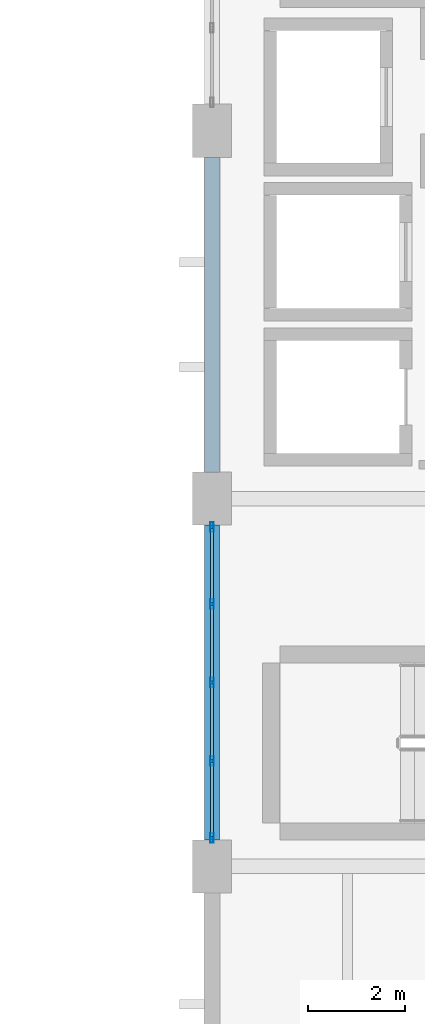
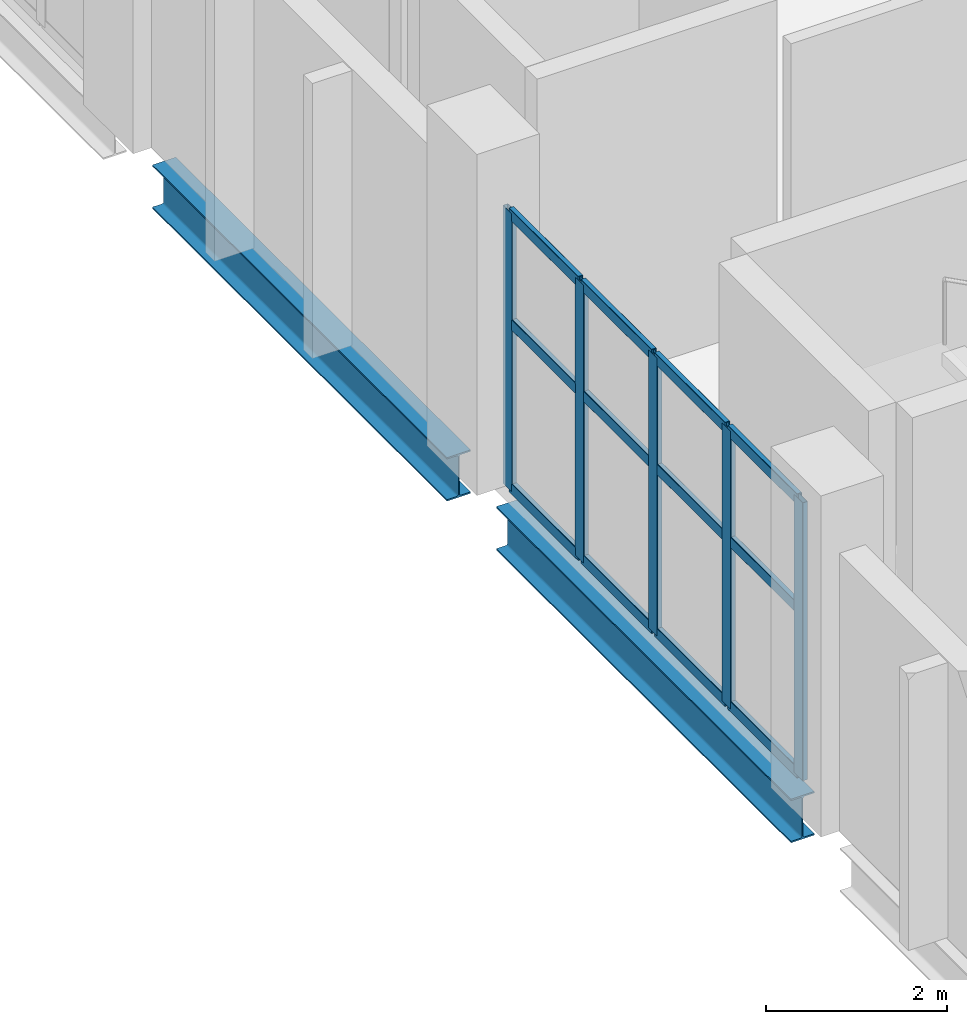
# One storey, part 47 of 136: 17 members, 2 beams, 1 element without a shape of its own.
"""IFC4 building model written with IfcOpenShell, lengths in metres."""

from ifc_helpers import new_model, si_unit, direction, frame, origin, origin_2d, place, context, subcontext, project, spatial, hollow_rectangle, i_section, extrude, material, material_profile, profile_set, type_object, element, aggregate, save


model = new_model("IFC4")

# Units and contexts
model_context = context("Model", 3, precision=1e-05, world=origin(), true_north=direction((0.0, 1.0)))
body_context = subcontext(model_context, "Body", "Model", "MODEL_VIEW")
ifc_project = project(units=[si_unit("LENGTHUNIT", "METRE"), si_unit("AREAUNIT", "SQUARE_METRE"), si_unit("VOLUMEUNIT", "CUBIC_METRE"), si_unit("PLANEANGLEUNIT", "RADIAN"), si_unit("MASSUNIT", "GRAM", prefix="KILO")], contexts=[model_context])

# Site, building, storey
site_placement = place(None, origin())
site = spatial("IfcSite", under=ifc_project, at=site_placement, CompositionType="ELEMENT")
building_placement = place(site_placement, origin())
building = spatial("IfcBuilding", under=site, at=building_placement, Name="Shengluoqiao Park Theatre", CompositionType="ELEMENT")
storey_placement = place(building_placement, frame((0.0, 0.0, 10.0)))
storey = spatial("IfcBuildingStorey", under=building, at=storey_placement, Name="L02", CompositionType="ELEMENT", Elevation=10.0)

# Curtain wall, members
ifc_material_1 = material(Name="Aluminium 6063-T6", Category="aluminium")
curtain_wall_type = type_object("IfcCurtainWallType", Name="ENV-CW-CLERE", PredefinedType="NOTDEFINED", material=ifc_material_1)
curtain_wall_placement = place(storey_placement, origin())
curtain_wall = element("IfcCurtainWall", 1, at=curtain_wall_placement, inside=storey, type_object=curtain_wall_type, Name="L02 Curtain Wall CW-L02-0005", PredefinedType="NOTDEFINED")
ifc_material_profile_1 = material_profile(ifc_material_1, hollow_rectangle(XDim=0.06494140625, YDim=0.199951171875, WallThickness=0.0048828125, InnerFilletRadius=0.0048828125, OuterFilletRadius=0.010009765625, at=origin_2d()), Name="ALU MULLION 200x65x5")
ifc_profile_set_1 = profile_set([ifc_material_profile_1], Name="Aluminium 6063-T6")
member_type_1 = type_object("IfcMemberType", Name="ENV-MUL-200", PredefinedType="MULLION", material=ifc_profile_set_1)
member_1_placement = place(storey_placement, frame((44.39990234375, 84.58642578125, 0.0), z_axis=(0.0, 0.0, 1.0), x_axis=(-1.0, 0.0, 0.0)))
member_1 = element("IfcMember", 2, at=member_1_placement, type_object=member_type_1, Name="CW-06 mullion 1", PredefinedType="MULLION", context=body_context, shape_type="SweptSolid", body=[
    extrude(hollow_rectangle(XDim=0.06494140625, YDim=0.199951171875, WallThickness=0.0048828125, InnerFilletRadius=0.0048828125, OuterFilletRadius=0.010009765625, at=origin_2d()), origin(), (0.0, 0.0, 1.0), 3.75),
])
member_2_placement = place(storey_placement, frame((44.39990234375, 86.177001953125, 0.0), z_axis=(0.0, 0.0, 1.0), x_axis=(-1.0, 0.0, 0.0)))
member_2 = element("IfcMember", 3, at=member_2_placement, type_object=member_type_1, Name="CW-06 mullion 2", PredefinedType="MULLION", context=body_context, shape_type="SweptSolid", body=[
    extrude(hollow_rectangle(XDim=0.06494140625, YDim=0.199951171875, WallThickness=0.0048828125, InnerFilletRadius=0.0048828125, OuterFilletRadius=0.010009765625, at=origin_2d()), origin(), (0.0, 0.0, 1.0), 3.75),
])
member_3_placement = place(storey_placement, frame((44.39990234375, 87.800048828125, 0.0), z_axis=(0.0, 0.0, 1.0), x_axis=(-1.0, 0.0, 0.0)))
member_3 = element("IfcMember", 4, at=member_3_placement, type_object=member_type_1, Name="CW-06 mullion 3", PredefinedType="MULLION", context=body_context, shape_type="SweptSolid", body=[
    extrude(hollow_rectangle(XDim=0.06494140625, YDim=0.199951171875, WallThickness=0.0048828125, InnerFilletRadius=0.0048828125, OuterFilletRadius=0.010009765625, at=origin_2d()), origin(), (0.0, 0.0, 1.0), 3.75),
])
member_4_placement = place(storey_placement, frame((44.39990234375, 89.423095703125, 0.0), z_axis=(0.0, 0.0, 1.0), x_axis=(-1.0, 0.0, 0.0)))
member_4 = element("IfcMember", 5, at=member_4_placement, type_object=member_type_1, Name="CW-06 mullion 4", PredefinedType="MULLION", context=body_context, shape_type="SweptSolid", body=[
    extrude(hollow_rectangle(XDim=0.06494140625, YDim=0.199951171875, WallThickness=0.0048828125, InnerFilletRadius=0.0048828125, OuterFilletRadius=0.010009765625, at=origin_2d()), origin(), (0.0, 0.0, 1.0), 3.75),
])
member_5_placement = place(storey_placement, frame((44.39990234375, 91.013427734375, 0.0), z_axis=(0.0, 0.0, 1.0), x_axis=(-1.0, 0.0, 0.0)))
member_5 = element("IfcMember", 6, at=member_5_placement, type_object=member_type_1, Name="CW-06 mullion 5", PredefinedType="MULLION", context=body_context, shape_type="SweptSolid", body=[
    extrude(hollow_rectangle(XDim=0.06494140625, YDim=0.199951171875, WallThickness=0.0048828125, InnerFilletRadius=0.0048828125, OuterFilletRadius=0.010009765625, at=origin_2d()), origin(), (0.0, 0.0, 1.0), 3.75),
])
ifc_material_profile_2 = material_profile(ifc_material_1, hollow_rectangle(XDim=0.06494140625, YDim=0.14990234375, WallThickness=0.00390625, InnerFilletRadius=0.00390625, OuterFilletRadius=0.008056640625, at=origin_2d()), Name="ALU TRANSOM 150x65x4")
ifc_profile_set_2 = profile_set([ifc_material_profile_2], Name="Aluminium 6063-T6")
member_type_2 = type_object("IfcMemberType", Name="ENV-TRN-150", PredefinedType="USERDEFINED", material=ifc_profile_set_2)
member_6_placement = place(storey_placement, frame((44.39990234375, 84.618896484375, 0.032470703125), z_axis=(0.0, 1.0, 0.0), x_axis=(-1.0, 0.0, 0.0)))
member_6 = element("IfcMember", 7, at=member_6_placement, type_object=member_type_2, Name="CW-06 transom 1.1", ObjectType="TRANSOM", PredefinedType="USERDEFINED", context=body_context, shape_type="SweptSolid", body=[
    extrude(hollow_rectangle(XDim=0.06494140625, YDim=0.14990234375, WallThickness=0.00390625, InnerFilletRadius=0.00390625, OuterFilletRadius=0.008056640625, at=origin_2d()), origin(), (0.0, 0.0, 1.0), 1.525634765625),
])
member_7_placement = place(storey_placement, frame((44.39990234375, 84.618896484375, 2.25), z_axis=(0.0, 1.0, 0.0), x_axis=(-1.0, 0.0, 0.0)))
member_7 = element("IfcMember", 8, at=member_7_placement, type_object=member_type_2, Name="CW-06 transom 1.2", ObjectType="TRANSOM", PredefinedType="USERDEFINED", context=body_context, shape_type="SweptSolid", body=[
    extrude(hollow_rectangle(XDim=0.06494140625, YDim=0.14990234375, WallThickness=0.00390625, InnerFilletRadius=0.00390625, OuterFilletRadius=0.008056640625, at=origin_2d()), origin(), (0.0, 0.0, 1.0), 1.525634765625),
])
member_8_placement = place(storey_placement, frame((44.39990234375, 84.618896484375, 3.717529296875), z_axis=(0.0, 1.0, 0.0), x_axis=(-1.0, 0.0, 0.0)))
member_8 = element("IfcMember", 9, at=member_8_placement, type_object=member_type_2, Name="CW-06 transom 1.3", ObjectType="TRANSOM", PredefinedType="USERDEFINED", context=body_context, shape_type="SweptSolid", body=[
    extrude(hollow_rectangle(XDim=0.06494140625, YDim=0.14990234375, WallThickness=0.00390625, InnerFilletRadius=0.00390625, OuterFilletRadius=0.008056640625, at=origin_2d()), origin(), (0.0, 0.0, 1.0), 1.525634765625),
])
member_9_placement = place(storey_placement, frame((44.39990234375, 86.20947265625, 0.032470703125), z_axis=(0.0, 1.0, 0.0), x_axis=(-1.0, 0.0, 0.0)))
member_9 = element("IfcMember", 10, at=member_9_placement, type_object=member_type_2, Name="CW-06 transom 2.1", ObjectType="TRANSOM", PredefinedType="USERDEFINED", context=body_context, shape_type="SweptSolid", body=[
    extrude(hollow_rectangle(XDim=0.06494140625, YDim=0.14990234375, WallThickness=0.00390625, InnerFilletRadius=0.00390625, OuterFilletRadius=0.008056640625, at=origin_2d()), origin(), (0.0, 0.0, 1.0), 1.55810546875),
])
member_10_placement = place(storey_placement, frame((44.39990234375, 86.20947265625, 2.25), z_axis=(0.0, 1.0, 0.0), x_axis=(-1.0, 0.0, 0.0)))
member_10 = element("IfcMember", 11, at=member_10_placement, type_object=member_type_2, Name="CW-06 transom 2.2", ObjectType="TRANSOM", PredefinedType="USERDEFINED", context=body_context, shape_type="SweptSolid", body=[
    extrude(hollow_rectangle(XDim=0.06494140625, YDim=0.14990234375, WallThickness=0.00390625, InnerFilletRadius=0.00390625, OuterFilletRadius=0.008056640625, at=origin_2d()), origin(), (0.0, 0.0, 1.0), 1.55810546875),
])
member_11_placement = place(storey_placement, frame((44.39990234375, 86.20947265625, 3.717529296875), z_axis=(0.0, 1.0, 0.0), x_axis=(-1.0, 0.0, 0.0)))
member_11 = element("IfcMember", 12, at=member_11_placement, type_object=member_type_2, Name="CW-06 transom 2.3", ObjectType="TRANSOM", PredefinedType="USERDEFINED", context=body_context, shape_type="SweptSolid", body=[
    extrude(hollow_rectangle(XDim=0.06494140625, YDim=0.14990234375, WallThickness=0.00390625, InnerFilletRadius=0.00390625, OuterFilletRadius=0.008056640625, at=origin_2d()), origin(), (0.0, 0.0, 1.0), 1.55810546875),
])
member_12_placement = place(storey_placement, frame((44.39990234375, 87.83251953125, 0.032470703125), z_axis=(0.0, 1.0, 0.0), x_axis=(-1.0, 0.0, 0.0)))
member_12 = element("IfcMember", 13, at=member_12_placement, type_object=member_type_2, Name="CW-06 transom 3.1", ObjectType="TRANSOM", PredefinedType="USERDEFINED", context=body_context, shape_type="SweptSolid", body=[
    extrude(hollow_rectangle(XDim=0.06494140625, YDim=0.14990234375, WallThickness=0.00390625, InnerFilletRadius=0.00390625, OuterFilletRadius=0.008056640625, at=origin_2d()), origin(), (0.0, 0.0, 1.0), 1.557861328125),
])
member_13_placement = place(storey_placement, frame((44.39990234375, 87.83251953125, 2.25), z_axis=(0.0, 1.0, 0.0), x_axis=(-1.0, 0.0, 0.0)))
member_13 = element("IfcMember", 14, at=member_13_placement, type_object=member_type_2, Name="CW-06 transom 3.2", ObjectType="TRANSOM", PredefinedType="USERDEFINED", context=body_context, shape_type="SweptSolid", body=[
    extrude(hollow_rectangle(XDim=0.06494140625, YDim=0.14990234375, WallThickness=0.00390625, InnerFilletRadius=0.00390625, OuterFilletRadius=0.008056640625, at=origin_2d()), origin(), (0.0, 0.0, 1.0), 1.557861328125),
])
member_14_placement = place(storey_placement, frame((44.39990234375, 87.83251953125, 3.717529296875), z_axis=(0.0, 1.0, 0.0), x_axis=(-1.0, 0.0, 0.0)))
member_14 = element("IfcMember", 15, at=member_14_placement, type_object=member_type_2, Name="CW-06 transom 3.3", ObjectType="TRANSOM", PredefinedType="USERDEFINED", context=body_context, shape_type="SweptSolid", body=[
    extrude(hollow_rectangle(XDim=0.06494140625, YDim=0.14990234375, WallThickness=0.00390625, InnerFilletRadius=0.00390625, OuterFilletRadius=0.008056640625, at=origin_2d()), origin(), (0.0, 0.0, 1.0), 1.557861328125),
])
member_15_placement = place(storey_placement, frame((44.39990234375, 89.45556640625, 0.032470703125), z_axis=(0.0, 1.0, 0.0), x_axis=(-1.0, 0.0, 0.0)))
member_15 = element("IfcMember", 16, at=member_15_placement, type_object=member_type_2, Name="CW-06 transom 4.1", ObjectType="TRANSOM", PredefinedType="USERDEFINED", context=body_context, shape_type="SweptSolid", body=[
    extrude(hollow_rectangle(XDim=0.06494140625, YDim=0.14990234375, WallThickness=0.00390625, InnerFilletRadius=0.00390625, OuterFilletRadius=0.008056640625, at=origin_2d()), origin(), (0.0, 0.0, 1.0), 1.525390625),
])
member_16_placement = place(storey_placement, frame((44.39990234375, 89.45556640625, 2.25), z_axis=(0.0, 1.0, 0.0), x_axis=(-1.0, 0.0, 0.0)))
member_16 = element("IfcMember", 17, at=member_16_placement, type_object=member_type_2, Name="CW-06 transom 4.2", ObjectType="TRANSOM", PredefinedType="USERDEFINED", context=body_context, shape_type="SweptSolid", body=[
    extrude(hollow_rectangle(XDim=0.06494140625, YDim=0.14990234375, WallThickness=0.00390625, InnerFilletRadius=0.00390625, OuterFilletRadius=0.008056640625, at=origin_2d()), origin(), (0.0, 0.0, 1.0), 1.525390625),
])
member_17_placement = place(storey_placement, frame((44.39990234375, 89.45556640625, 3.717529296875), z_axis=(0.0, 1.0, 0.0), x_axis=(-1.0, 0.0, 0.0)))
member_17 = element("IfcMember", 18, at=member_17_placement, type_object=member_type_2, Name="CW-06 transom 4.3", ObjectType="TRANSOM", PredefinedType="USERDEFINED", context=body_context, shape_type="SweptSolid", body=[
    extrude(hollow_rectangle(XDim=0.06494140625, YDim=0.14990234375, WallThickness=0.00390625, InnerFilletRadius=0.00390625, OuterFilletRadius=0.008056640625, at=origin_2d()), origin(), (0.0, 0.0, 1.0), 1.525390625),
])
aggregate(curtain_wall, [member_1, member_2, member_3, member_4, member_5, member_6, member_7, member_8, member_9, member_10, member_11, member_12, member_13, member_14, member_15, member_16, member_17])

# Beams
ifc_material_2 = material(Name="Steel Q355", Category="steel")
ifc_material_profile_3 = material_profile(ifc_material_2, i_section(OverallWidth=0.300048828125, OverallDepth=0.587890625, WebThickness=0.011962890625, FlangeThickness=0.02001953125, FilletRadius=0.02392578125, at=origin_2d()), Name="HM 588x300x12x20")
ifc_profile_set_3 = profile_set([ifc_material_profile_3], Name="Steel Q355")
beam_type = type_object("IfcBeamType", Name="STR-BM-G-HM588", PredefinedType="BEAM", material=ifc_profile_set_3)
for number, where, z_axis, x_axis, name in (
    (19, (44.39990234375, 84.5439453125, -0.533935546875), (0.0, 1.0, 0.0), (-1.0, 0.0, 0.0), "L02 Transverse Girder 00799"),
    (20, (44.39990234375, 92.14404296875, -0.533935546875), (0.0, 1.0, 0.0), (-1.0, 0.0, 0.0), "L02 Transverse Girder 00800"),
):
    element("IfcBeam", number, at=place(storey_placement, frame(where, z_axis=z_axis, x_axis=x_axis)), inside=storey, type_object=beam_type, Name=name, PredefinedType="BEAM", context=body_context, shape_type="SweptSolid", body=[
        extrude(i_section(OverallWidth=0.300048828125, OverallDepth=0.587890625, WebThickness=0.011962890625, FlangeThickness=0.02001953125, FilletRadius=0.02392578125, at=origin_2d()), origin(), (0.0, 0.0, 1.0), 6.511962890625),
    ])

save(model, "model.ifc")
